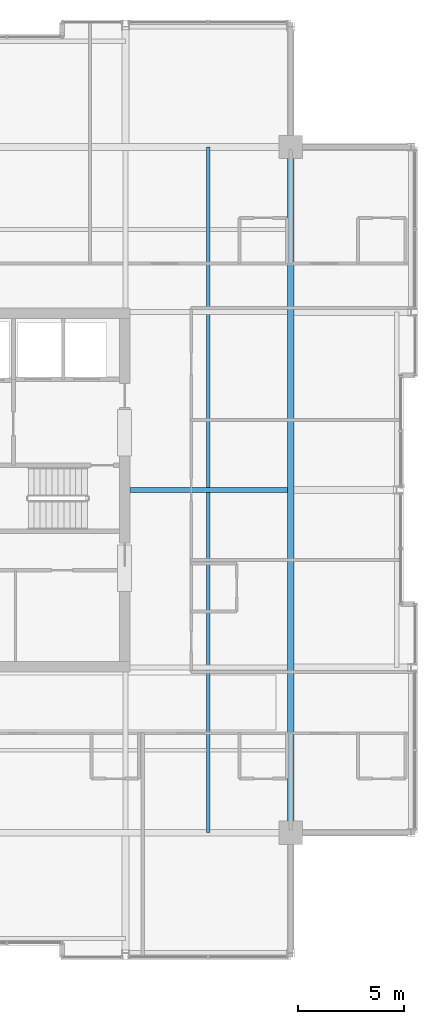
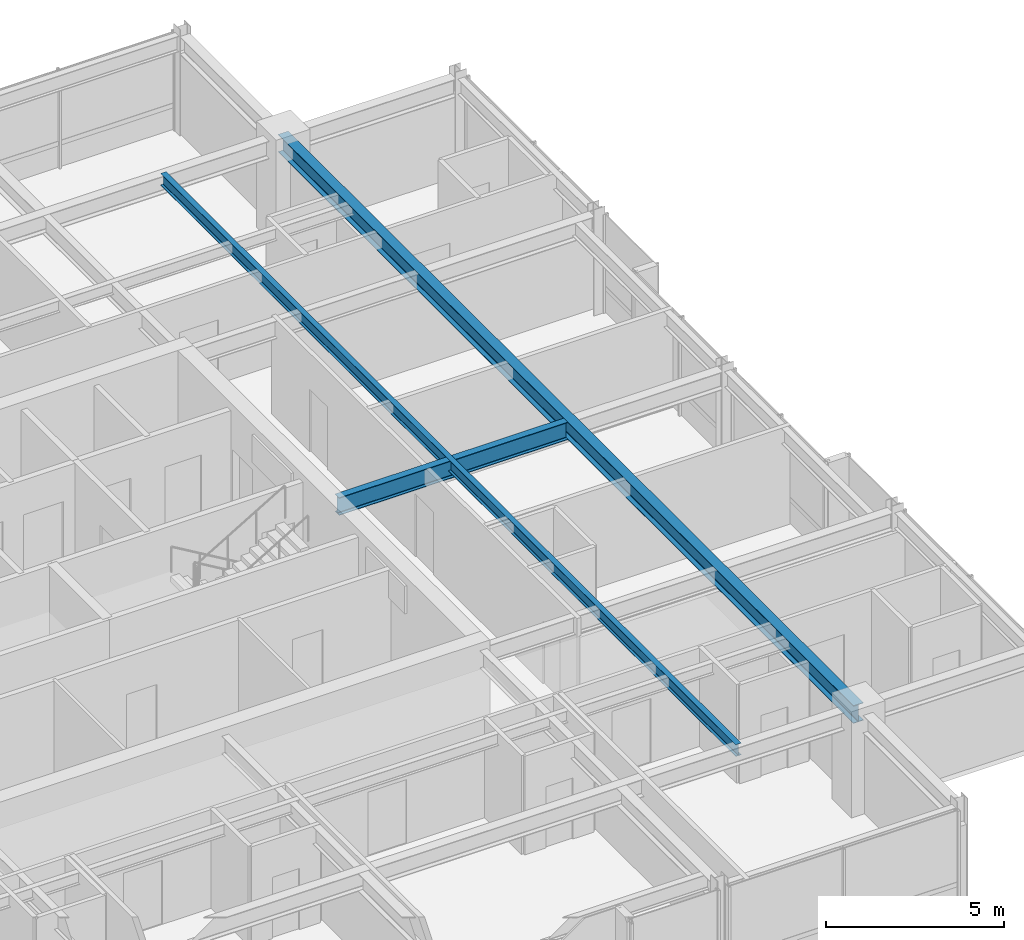
# One storey, part 17 of 34: 3 beams.
"""IFC4 building model written with IfcOpenShell, lengths in metres."""

from ifc_helpers import new_model, si_unit, direction, frame, origin, origin_2d, place, context, subcontext, project, spatial, i_section, extrude, material, material_profile, profile_set, type_object, element, save


model = new_model("IFC4")

# Units and contexts
model_context = context("Model", 3, precision=1e-05, world=origin(), true_north=direction((0.0, 1.0)))
body_context = subcontext(model_context, "Body", "Model", "MODEL_VIEW")
ifc_project = project(units=[si_unit("LENGTHUNIT", "METRE"), si_unit("AREAUNIT", "SQUARE_METRE"), si_unit("VOLUMEUNIT", "CUBIC_METRE"), si_unit("PLANEANGLEUNIT", "RADIAN"), si_unit("MASSUNIT", "GRAM", prefix="KILO")], contexts=[model_context])

# Site, building, storey
site_placement = place(None, origin())
site = spatial("IfcSite", under=ifc_project, at=site_placement, CompositionType="ELEMENT")
building_placement = place(site_placement, origin())
building = spatial("IfcBuilding", under=site, at=building_placement, Name="Drelvath Grand Hotel", CompositionType="ELEMENT")
storey_placement = place(building_placement, frame((0.0, 0.0, 286.89990234375)))
storey = spatial("IfcBuildingStorey", under=building, at=storey_placement, Name="L75", CompositionType="ELEMENT", Elevation=286.89990234375)

# Beams
ifc_material = material(Name="Steel ASTM A992 Gr 50", Category="steel")
ifc_material_profile_1 = material_profile(ifc_material, i_section(OverallWidth=0.177734375, OverallDepth=0.40673828125, WebThickness=0.0078125, FlangeThickness=0.0126953125, FilletRadius=0.014892578125, at=origin_2d()), Name="W16X40")
ifc_profile_set_1 = profile_set([ifc_material_profile_1], Name="Steel ASTM A992 Gr 50")
beam_type_1 = type_object("IfcBeamType", Name="Composite Floor Joist W16X40", PredefinedType="JOIST", material=ifc_profile_set_1)
beam_1_placement = place(storey_placement, frame((12.300048828125, 10.800048828125, 3.186767578125), z_axis=(0.0, 1.0, 0.0), x_axis=(-1.0, 0.0, 0.0)))
element("IfcBeam", 1, at=beam_1_placement, inside=storey, type_object=beam_type_1, Name="L75 Wing Floor Joist J4", PredefinedType="JOIST", context=body_context, shape_type="SweptSolid", body=[
    extrude(i_section(OverallWidth=0.177734375, OverallDepth=0.40673828125, WebThickness=0.0078125, FlangeThickness=0.0126953125, FilletRadius=0.014892578125, at=origin_2d()), origin(), (0.0, 0.0, 1.0), 32.39990234375),
])
ifc_material_profile_2 = material_profile(ifc_material, i_section(OverallWidth=0.323974609375, OverallDepth=0.611083984375, WebThickness=0.0126953125, FlangeThickness=0.01904296875, FilletRadius=0.02197265625, at=origin_2d()), Name="W24X104")
ifc_profile_set_2 = profile_set([ifc_material_profile_2], Name="Steel ASTM A992 Gr 50")
beam_type_2 = type_object("IfcBeamType", Name="Primary Floor Girder W24X104", PredefinedType="BEAM", material=ifc_profile_set_2)
beam_2_placement = place(storey_placement, frame((16.199951171875, 10.800048828125, 3.084716796875), z_axis=(0.0, 1.0, 0.0), x_axis=(-1.0, 0.0, 0.0)))
element("IfcBeam", 2, at=beam_2_placement, inside=storey, type_object=beam_type_2, Name="L75 Mega Ring Girder East", PredefinedType="BEAM", context=body_context, shape_type="SweptSolid", body=[
    extrude(i_section(OverallWidth=0.323974609375, OverallDepth=0.611083984375, WebThickness=0.0126953125, FlangeThickness=0.01904296875, FilletRadius=0.02197265625, at=origin_2d()), origin(), (0.0, 0.0, 1.0), 32.39990234375),
])
ifc_material_profile_3 = material_profile(ifc_material, i_section(OverallWidth=0.228271484375, OverallDepth=0.607666015625, WebThickness=0.01123046875, FlangeThickness=0.017333984375, FilletRadius=0.02001953125, at=origin_2d()), Name="W24X76")
ifc_profile_set_3 = profile_set([ifc_material_profile_3], Name="Steel ASTM A992 Gr 50")
beam_type_3 = type_object("IfcBeamType", Name="Primary Floor Girder W24X76", PredefinedType="BEAM", material=ifc_profile_set_3)
beam_3_placement = place(storey_placement, frame((8.60009765625, 27.0, 3.086181640625), z_axis=(1.0, 0.0, 0.0), x_axis=(0.0, 1.0, 0.0)))
element("IfcBeam", 3, at=beam_3_placement, inside=storey, type_object=beam_type_3, Name="L75 East Core Tie E", PredefinedType="BEAM", context=body_context, shape_type="SweptSolid", body=[
    extrude(i_section(OverallWidth=0.228271484375, OverallDepth=0.607666015625, WebThickness=0.01123046875, FlangeThickness=0.017333984375, FilletRadius=0.02001953125, at=origin_2d()), origin(), (0.0, 0.0, 1.0), 7.43798828125),
])

save(model, "model.ifc")
